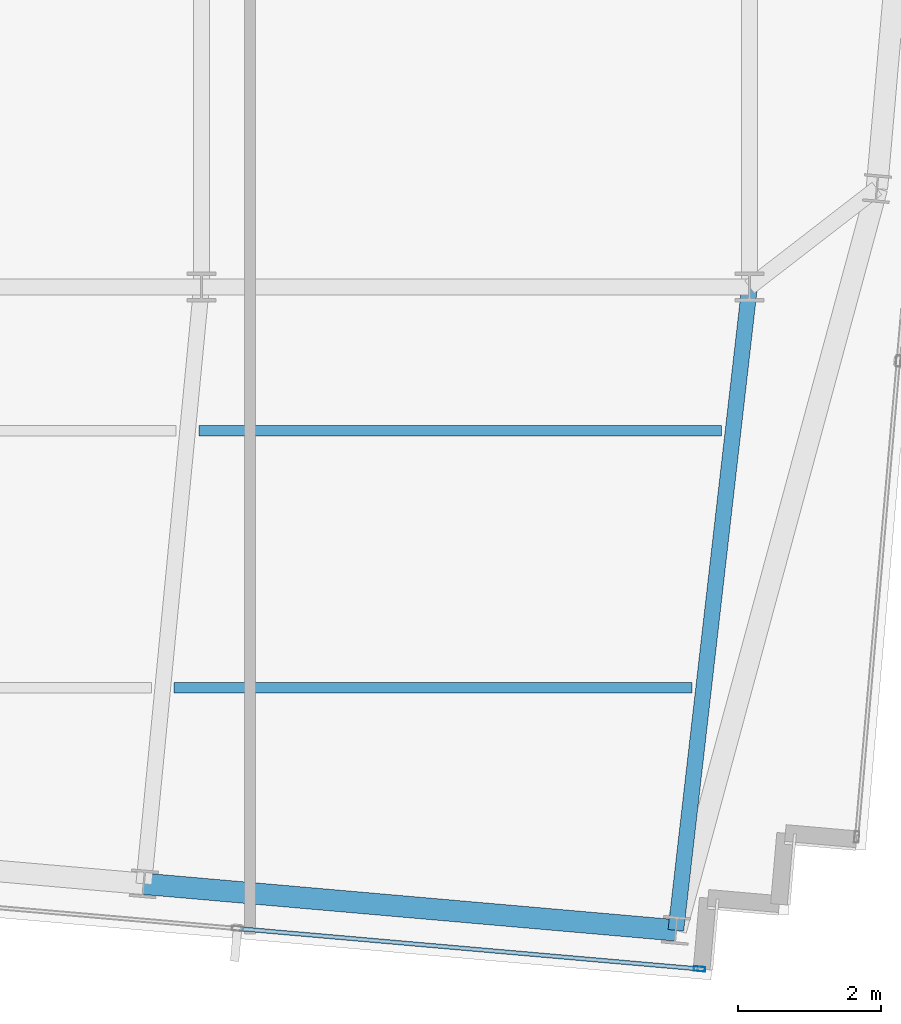
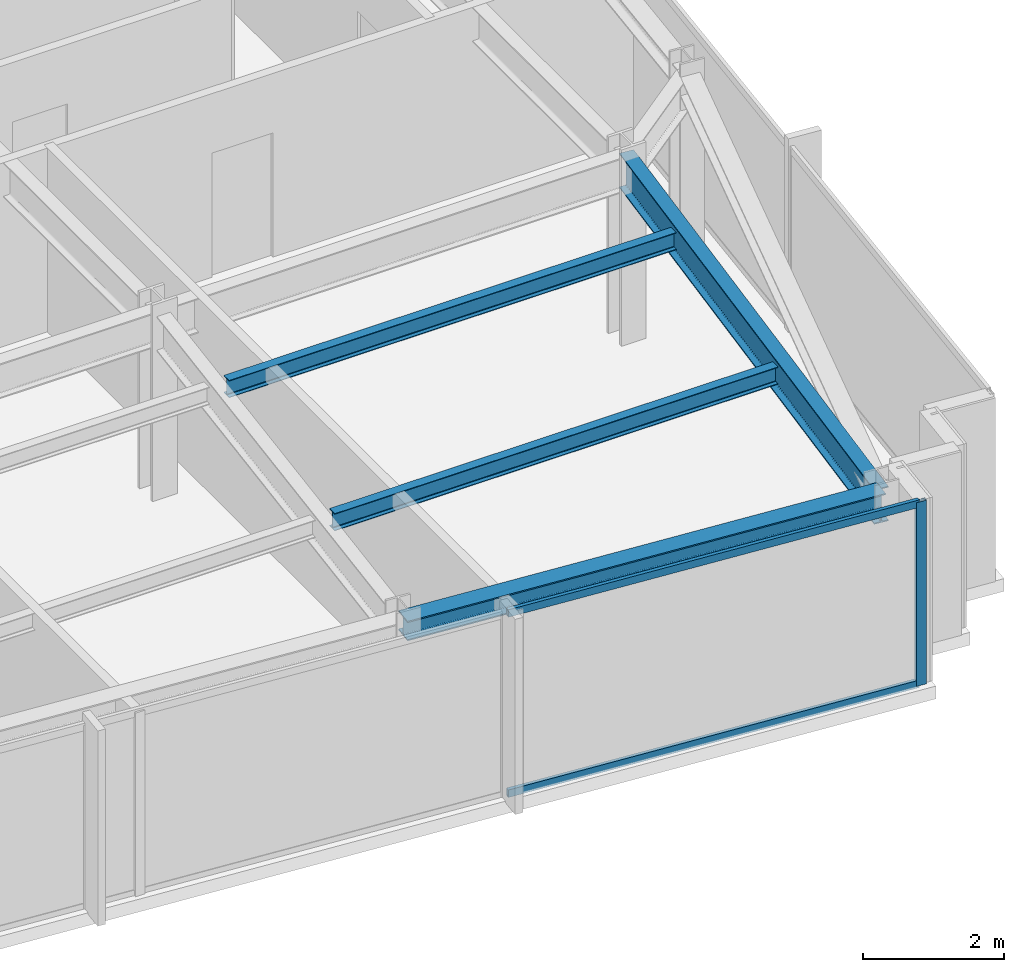
# One storey, part 14 of 32: 4 beams, 3 members, 1 element without a shape of its own.
"""IFC4 building model written with IfcOpenShell, lengths in metres."""

from ifc_helpers import new_model, si_unit, direction, frame, origin, origin_2d, place, context, subcontext, project, spatial, hollow_rectangle, i_section, extrude, material, material_profile, profile_set, type_object, element, aggregate, save


model = new_model("IFC4")

# Units and contexts
model_context = context("Model", 3, precision=1e-05, world=origin(), true_north=direction((0.0, 1.0)))
body_context = subcontext(model_context, "Body", "Model", "MODEL_VIEW")
ifc_project = project(units=[si_unit("LENGTHUNIT", "METRE"), si_unit("AREAUNIT", "SQUARE_METRE"), si_unit("VOLUMEUNIT", "CUBIC_METRE"), si_unit("PLANEANGLEUNIT", "RADIAN"), si_unit("MASSUNIT", "GRAM", prefix="KILO")], contexts=[model_context])

# Site, building, storey
site_placement = place(None, origin())
site = spatial("IfcSite", under=ifc_project, at=site_placement, CompositionType="ELEMENT")
building_placement = place(site_placement, origin())
building = spatial("IfcBuilding", under=site, at=building_placement, Name="Yelkora Congress Tower", CompositionType="ELEMENT")
storey_placement = place(building_placement, frame((0.0, 0.0, 293.10009765625)))
storey = spatial("IfcBuildingStorey", under=building, at=storey_placement, Name="L82", CompositionType="ELEMENT", Elevation=293.10009765625)

# Beams
ifc_material_1 = material(Name="Steel S355J2", Category="steel")
ifc_material_profile_1 = material_profile(ifc_material_1, i_section(OverallWidth=0.219970703125, OverallDepth=0.60009765625, WebThickness=0.011962890625, FlangeThickness=0.01904296875, FilletRadius=0.02392578125, at=origin_2d()), Name="IPE 600")
ifc_profile_set_1 = profile_set([ifc_material_profile_1], Name="Steel S355J2")
beam_type_1 = type_object("IfcBeamType", Name="BM-GIRD-IPE600", PredefinedType="BEAM", material=ifc_profile_set_1)
beam_1_placement = place(storey_placement, frame((52.727294921875, 16.1845703125, 2.8798828125), z_axis=(0.113806093355, 0.993502980929, 0.0), x_axis=(-0.993502980929, 0.113806093355, 0.0)))
element("IfcBeam", 1, at=beam_1_placement, inside=storey, type_object=beam_type_1, Name="L82 Primary Frame Girder S07", PredefinedType="BEAM", context=body_context, shape_type="SweptSolid", body=[
    extrude(i_section(OverallWidth=0.219970703125, OverallDepth=0.60009765625, WebThickness=0.011962890625, FlangeThickness=0.01904296875, FilletRadius=0.02392578125, at=origin_2d()), origin(), (0.0, 0.0, 1.0), 9.07421875),
])
ifc_material_profile_2 = material_profile(ifc_material_1, i_section(OverallWidth=0.14990234375, OverallDepth=0.300048828125, WebThickness=0.007080078125, FlangeThickness=0.0107421875, FilletRadius=0.014892578125, at=origin_2d()), Name="IPE 300")
ifc_profile_set_2 = profile_set([ifc_material_profile_2], Name="Steel S355J2")
beam_type_2 = type_object("IfcBeamType", Name="BM-JOIST-IPE300", PredefinedType="JOIST", material=ifc_profile_set_2)
beam_2_placement = place(storey_placement, frame((45.69775390625, 19.58447265625, 3.02978515625), z_axis=(1.0, 0.0, 0.0), x_axis=(0.0, 1.0, 0.0)))
element("IfcBeam", 2, at=beam_2_placement, inside=storey, type_object=beam_type_2, Name="L82 Composite Floor Joist 4", PredefinedType="JOIST", context=body_context, shape_type="SweptSolid", body=[
    extrude(i_section(OverallWidth=0.14990234375, OverallDepth=0.300048828125, WebThickness=0.007080078125, FlangeThickness=0.0107421875, FilletRadius=0.014892578125, at=origin_2d()), origin(), (0.0, 0.0, 1.0), 7.259033203125),
])
beam_3_placement = place(storey_placement, frame((46.04541015625, 23.1845703125, 3.02978515625), z_axis=(1.0, 0.0, 0.0), x_axis=(0.0, 1.0, 0.0)))
element("IfcBeam", 3, at=beam_3_placement, inside=storey, type_object=beam_type_2, Name="L82 Composite Floor Joist 8", PredefinedType="JOIST", context=body_context, shape_type="SweptSolid", body=[
    extrude(i_section(OverallWidth=0.14990234375, OverallDepth=0.300048828125, WebThickness=0.007080078125, FlangeThickness=0.0107421875, FilletRadius=0.014892578125, at=origin_2d()), origin(), (0.0, 0.0, 1.0), 7.32373046875),
])
ifc_material_profile_3 = material_profile(ifc_material_1, i_section(OverallWidth=0.300048828125, OverallDepth=0.340087890625, WebThickness=0.011962890625, FlangeThickness=0.021484375, FilletRadius=0.027099609375, at=origin_2d()), Name="HEB 340")
ifc_profile_set_3 = profile_set([ifc_material_profile_3], Name="Steel S355J2")
beam_type_3 = type_object("IfcBeamType", Name="BM-SPAN-HEB340", PredefinedType="SPANDREL", material=ifc_profile_set_3)
beam_4_placement = place(storey_placement, frame((45.2724609375, 16.836669921875, 3.010009765625), z_axis=(0.99619601894, -0.087140644067, 0.0), x_axis=(0.087140644067, 0.99619601894, 0.0)))
element("IfcBeam", 4, at=beam_4_placement, inside=storey, type_object=beam_type_3, Name="L82 Perimeter Beam 6", PredefinedType="SPANDREL", context=body_context, shape_type="SweptSolid", body=[
    extrude(i_section(OverallWidth=0.300048828125, OverallDepth=0.340087890625, WebThickness=0.011962890625, FlangeThickness=0.021484375, FilletRadius=0.027099609375, at=origin_2d()), origin(), (0.0, 0.0, 1.0), 7.4833984375),
])

# Curtain wall, members
ifc_material_2 = material(Name="Anodised aluminium and insulated glass", Category="aluminium")
curtain_wall_type = type_object("IfcCurtainWallType", Name="CW-SYS-B5", PredefinedType="NOTDEFINED", material=ifc_material_2)
curtain_wall_placement = place(storey_placement, origin())
curtain_wall = element("IfcCurtainWall", 5, at=curtain_wall_placement, inside=storey, type_object=curtain_wall_type, Name="L82 Unitised Curtain Wall 20", PredefinedType="NOTDEFINED")
ifc_material_3 = material(Name="Anodised aluminium 6063-T6", Category="aluminium")
ifc_material_profile_4 = material_profile(ifc_material_3, hollow_rectangle(XDim=0.06494140625, YDim=0.159912109375, WallThickness=0.00390625, at=origin_2d()), Name="ALU 65x160x4")
ifc_profile_set_4 = profile_set([ifc_material_profile_4], Name="Anodised aluminium 6063-T6")
member_type_1 = type_object("IfcMemberType", Name="MEM-ML-B5", PredefinedType="MULLION", material=ifc_profile_set_4)
member_1_placement = place(storey_placement, frame((53.058837890625, 15.6435546875, 0.0), z_axis=(0.0, 0.0, 1.0), x_axis=(-0.087156829793, -0.996194602987, 0.0)))
member_1 = element("IfcMember", 6, at=member_1_placement, type_object=member_type_1, Name="CW-B5 mullion 1", PredefinedType="MULLION", context=body_context, shape_type="SweptSolid", body=[
    extrude(hollow_rectangle(XDim=0.06494140625, YDim=0.159912109375, WallThickness=0.00390625, at=origin_2d()), origin(), (0.0, 0.0, 1.0), 3.179931640625),
])
ifc_material_profile_5 = material_profile(ifc_material_3, hollow_rectangle(XDim=0.06005859375, YDim=0.1298828125, WallThickness=0.00390625, at=origin_2d()), Name="ALU 60x130x4")
ifc_profile_set_5 = profile_set([ifc_material_profile_5], Name="Anodised aluminium 6063-T6")
member_type_2 = type_object("IfcMemberType", Name="MEM-TR-B5", PredefinedType="USERDEFINED", material=ifc_profile_set_5)
member_2_placement = place(storey_placement, frame((53.0263671875, 15.646484375, 0.02978515625), z_axis=(-0.996197464696, 0.087124114537, 0.0), x_axis=(-0.087124114537, -0.996197464696, 0.0)))
member_2 = element("IfcMember", 7, at=member_2_placement, type_object=member_type_2, Name="CW-B5 transom 1.1", ObjectType="TRANSOM", PredefinedType="USERDEFINED", context=body_context, shape_type="SweptSolid", body=[
    extrude(hollow_rectangle(XDim=0.06005859375, YDim=0.1298828125, WallThickness=0.00390625, at=origin_2d()), origin(), (0.0, 0.0, 1.0), 6.433837890625),
])
member_3_placement = place(storey_placement, frame((53.0263671875, 15.646484375, 3.14990234375), z_axis=(-0.996197464696, 0.087124114537, 0.0), x_axis=(-0.087124114537, -0.996197464696, 0.0)))
member_3 = element("IfcMember", 8, at=member_3_placement, type_object=member_type_2, Name="CW-B5 transom 1.2", ObjectType="TRANSOM", PredefinedType="USERDEFINED", context=body_context, shape_type="SweptSolid", body=[
    extrude(hollow_rectangle(XDim=0.06005859375, YDim=0.1298828125, WallThickness=0.00390625, at=origin_2d()), origin(), (0.0, 0.0, 1.0), 6.433837890625),
])
aggregate(curtain_wall, [member_1, member_2, member_3])

save(model, "model.ifc")
